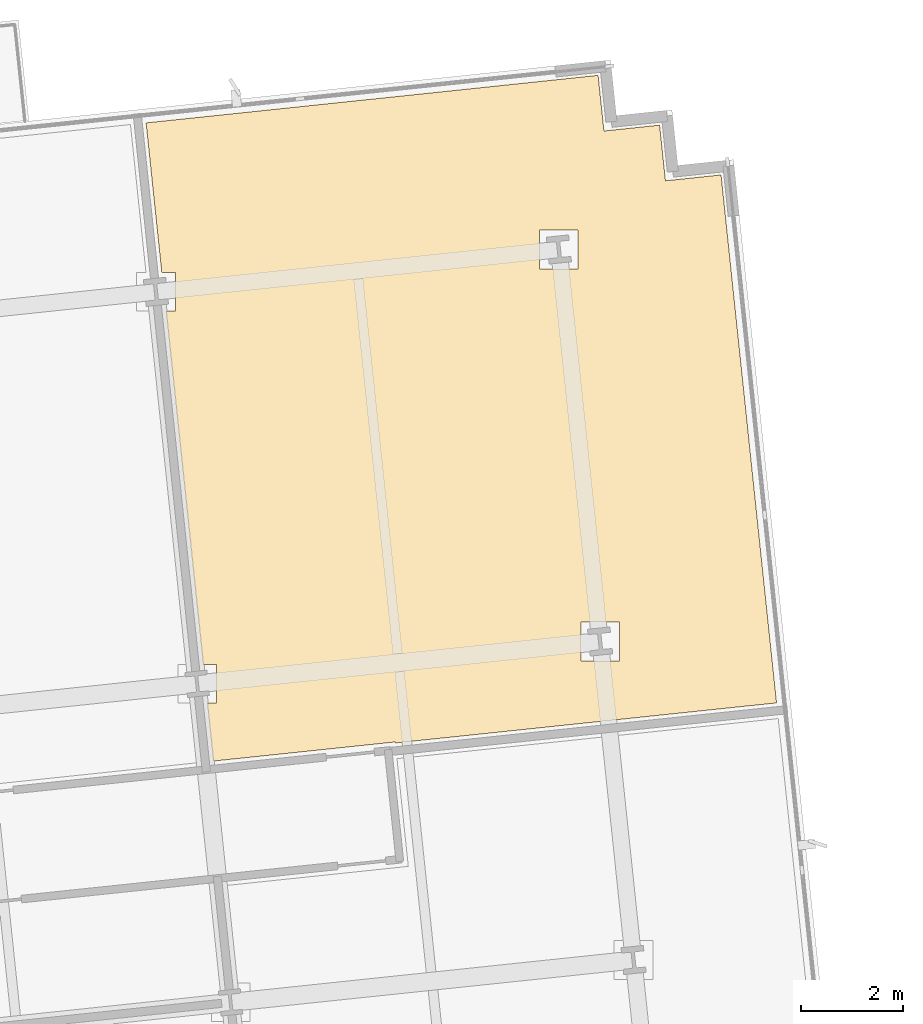
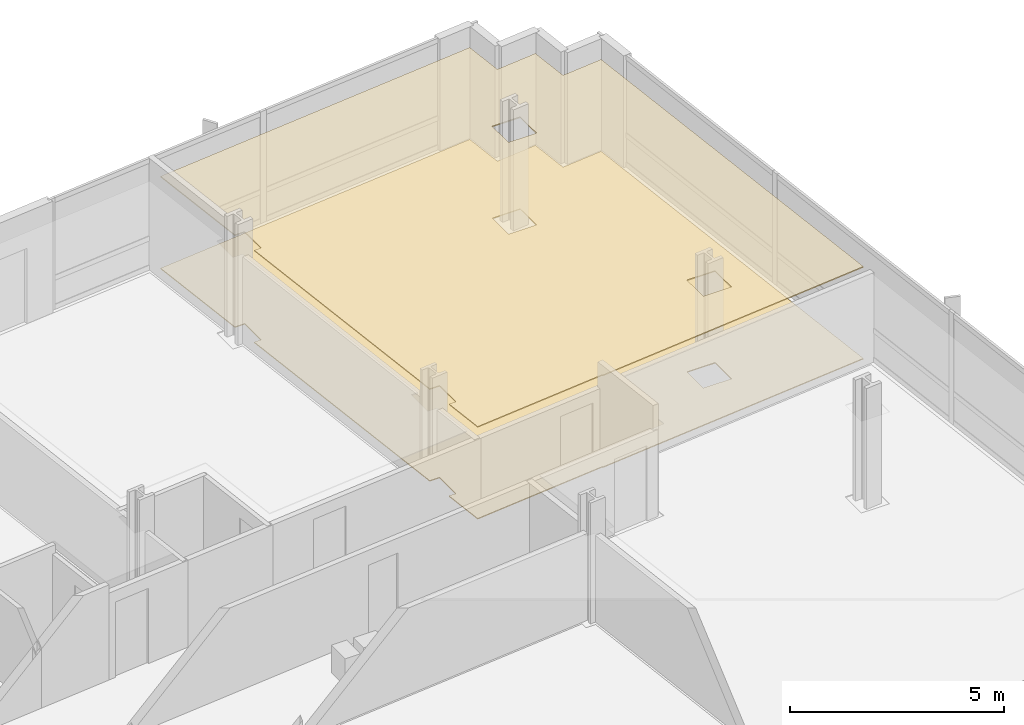
# One storey, part 17 of 18: 2 coverings.
"""IFC4 building model written with IfcOpenShell, lengths in metres."""

from ifc_helpers import new_model, si_unit, direction, frame, origin, place, context, subcontext, project, spatial, polyline, outline, extrude, material, layer, layer_set, type_object, element, save


model = new_model("IFC4")

# Units and contexts
model_context = context("Model", 3, precision=1e-05, world=origin(), true_north=direction((0.0, 1.0)))
body_context = subcontext(model_context, "Body", "Model", "MODEL_VIEW")
ifc_project = project(units=[si_unit("LENGTHUNIT", "METRE"), si_unit("AREAUNIT", "SQUARE_METRE"), si_unit("VOLUMEUNIT", "CUBIC_METRE"), si_unit("PLANEANGLEUNIT", "RADIAN"), si_unit("MASSUNIT", "GRAM", prefix="KILO")], contexts=[model_context])

# Site, building, storey
site_placement = place(None, origin())
site = spatial("IfcSite", under=ifc_project, at=site_placement, CompositionType="ELEMENT")
building_placement = place(site_placement, origin())
building = spatial("IfcBuilding", under=site, at=building_placement, Name="Solmavex Isthmus Hotel", CompositionType="ELEMENT")
storey_placement = place(building_placement, frame((0.0, 0.0, 120.14990234375)))
storey = spatial("IfcBuildingStorey", under=building, at=storey_placement, Name="L32", CompositionType="ELEMENT", Elevation=120.14990234375)

# Coverings
ifc_material_1 = material(Name="Gypsum plasterboard lining", Category="gypsum")
ifc_layer_1 = layer(ifc_material_1, 0.030029296875)
ifc_layer_set_1 = layer_set([ifc_layer_1], Name="Gypsum plasterboard lining")
covering_type_1 = type_object("IfcCoveringType", Name="COV-CEIL-GYP", PredefinedType="CEILING", material=ifc_layer_set_1)
covering_1_placement = place(storey_placement, frame((0.0, 0.0, 2.6201171875)))
element("IfcCovering", 1, at=covering_1_placement, inside=storey, type_object=covering_type_1, Name="Suspended Acoustic Ceiling L32-RM07", PredefinedType="CEILING", context=body_context, shape_type="SweptSolid", body=[
    extrude(outline(polyline([(20.67724609375, 12.3017578125), (20.94140625, 12.3017578125), (20.94140625, 11.541748046875), (20.75732421875, 11.541748046875), (20.876953125, 10.403564453125), (24.45703125, 10.77978515625), (24.459228515625, 10.760009765625), (31.955810546875, 11.5478515625), (30.950927734375, 21.110107421875), (30.86474609375, 21.9306640625), (29.770751953125, 21.815673828125), (29.65576171875, 22.90966796875), (28.561767578125, 22.794677734375), (28.44677734375, 23.888671875), (27.626220703125, 23.802490234375), (19.5576171875, 22.954345703125), (19.866943359375, 20.011474609375), (20.131103515625, 20.011474609375), (20.131103515625, 19.25146484375), (19.947021484375, 19.25146484375), (20.67724609375, 12.3017578125)]), holes=[polyline([(28.105712890625, 12.374755859375), (28.105712890625, 13.134765625), (28.86572265625, 13.134765625), (28.86572265625, 12.374755859375), (28.105712890625, 12.374755859375)]), polyline([(27.29541015625, 20.84423828125), (28.055419921875, 20.84423828125), (28.055419921875, 20.084228515625), (27.29541015625, 20.084228515625), (27.29541015625, 20.84423828125)])]), origin(), (0.0, 0.0, 1.0), 0.030029296875),
])
ifc_material_2 = material(Name="Travertine natural stone", Category="masonry")
ifc_layer_2 = layer(ifc_material_2, 0.02490234375)
ifc_layer_set_2 = layer_set([ifc_layer_2], Name="Travertine natural stone")
covering_type_2 = type_object("IfcCoveringType", Name="COV-FLOR-STN", PredefinedType="FLOORING", material=ifc_layer_set_2)
covering_2_placement = place(storey_placement, origin())
element("IfcCovering", 2, at=covering_2_placement, inside=storey, type_object=covering_type_2, Name="Stone and Timber Floor Finish L32-RM07", PredefinedType="FLOORING", context=body_context, shape_type="SweptSolid", body=[
    extrude(outline(polyline([(20.67724609375, 12.3017578125), (20.94140625, 12.3017578125), (20.94140625, 11.541748046875), (20.75732421875, 11.541748046875), (20.876953125, 10.403564453125), (24.45703125, 10.77978515625), (24.459228515625, 10.760009765625), (31.955810546875, 11.5478515625), (30.950927734375, 21.110107421875), (30.86474609375, 21.9306640625), (29.770751953125, 21.815673828125), (29.65576171875, 22.90966796875), (28.561767578125, 22.794677734375), (28.44677734375, 23.888671875), (27.626220703125, 23.802490234375), (19.5576171875, 22.954345703125), (19.866943359375, 20.011474609375), (20.131103515625, 20.011474609375), (20.131103515625, 19.25146484375), (19.947021484375, 19.25146484375), (20.67724609375, 12.3017578125)]), holes=[polyline([(28.105712890625, 12.374755859375), (28.105712890625, 13.134765625), (28.86572265625, 13.134765625), (28.86572265625, 12.374755859375), (28.105712890625, 12.374755859375)]), polyline([(27.29541015625, 20.84423828125), (28.055419921875, 20.84423828125), (28.055419921875, 20.084228515625), (27.29541015625, 20.084228515625), (27.29541015625, 20.84423828125)])]), origin(), (0.0, 0.0, 1.0), 0.025146484375),
])

save(model, "model.ifc")
